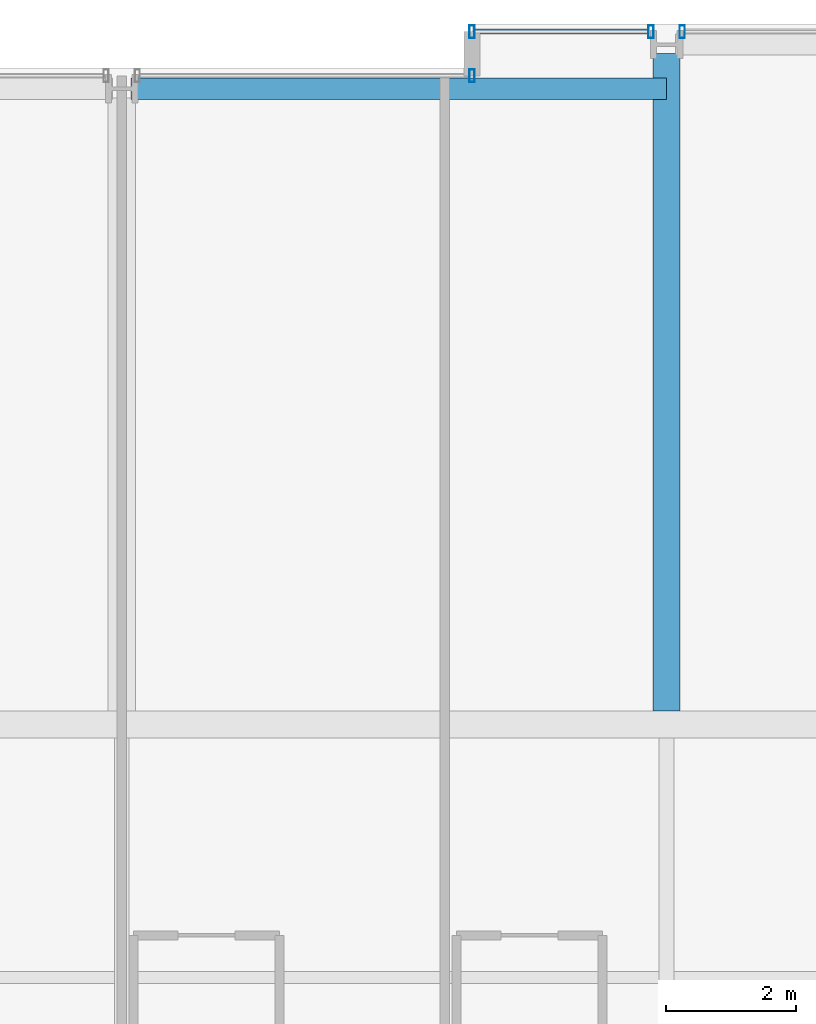
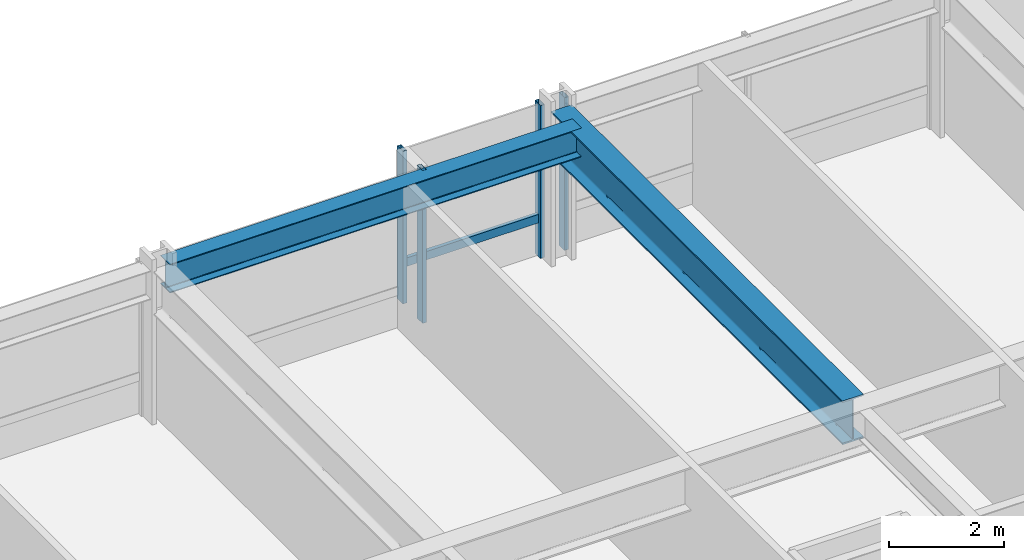
# One storey, part 26 of 42: 5 members, 2 beams, 3 elements without a shape of their own.
"""IFC4 building model written with IfcOpenShell, lengths in metres."""

from ifc_helpers import new_model, si_unit, direction, frame, origin, origin_2d, place, context, subcontext, project, spatial, hollow_rectangle, i_section, extrude, material, layer, layer_set, material_profile, profile_set, type_object, element, aggregate, save


model = new_model("IFC4")

# Units and contexts
model_context = context("Model", 3, precision=1e-05, world=origin(), true_north=direction((0.0, 1.0)))
body_context = subcontext(model_context, "Body", "Model", "MODEL_VIEW")
ifc_project = project(units=[si_unit("LENGTHUNIT", "METRE"), si_unit("AREAUNIT", "SQUARE_METRE"), si_unit("VOLUMEUNIT", "CUBIC_METRE"), si_unit("PLANEANGLEUNIT", "RADIAN"), si_unit("MASSUNIT", "GRAM", prefix="KILO")], contexts=[model_context])

# Site, building, storey
site_placement = place(None, origin())
site = spatial("IfcSite", under=ifc_project, at=site_placement, CompositionType="ELEMENT")
building_placement = place(site_placement, origin())
building = spatial("IfcBuilding", under=site, at=building_placement, Name="Drelvath Grand Hotel", CompositionType="ELEMENT")
storey_placement = place(building_placement, frame((0.0, 0.0, 33.199951171875)))
storey = spatial("IfcBuildingStorey", under=building, at=storey_placement, Name="L06", CompositionType="ELEMENT", Elevation=33.199951171875)

# Curtain wall, member
ifc_material_1 = material(Name="Warm Bronze Anodised Aluminium Frame", Category="aluminium")
ifc_layer = layer(ifc_material_1, 0.199951171875)
ifc_layer_set = layer_set([ifc_layer], Name="Warm Bronze Anodised Aluminium Frame")
curtain_wall_type = type_object("IfcCurtainWallType", Name="Stick Curtain Wall CW-02 Warm Bronze Low-Rise", PredefinedType="NOTDEFINED", material=ifc_layer_set)
curtain_wall_1_placement = place(storey_placement, origin())
curtain_wall_1 = element("IfcCurtainWall", 1, at=curtain_wall_1_placement, inside=storey, type_object=curtain_wall_type, Name="L06 CW-02 Curtain Wall CW02-L06-NE1", PredefinedType="NOTDEFINED")
ifc_material_profile_1 = material_profile(ifc_material_1, hollow_rectangle(XDim=0.074951171875, YDim=0.179931640625, WallThickness=0.0048828125, at=origin_2d()), Name="HSS180X75X5")
ifc_profile_set_1 = profile_set([ifc_material_profile_1], Name="Warm Bronze Anodised Aluminium Frame")
member_type_1 = type_object("IfcMemberType", Name="Curtain Wall Horizontal Transom CW-02 HSS180X75X5", PredefinedType="USERDEFINED", material=ifc_profile_set_1)
member_1_placement = place(storey_placement, frame((5.43994140625, 53.8798828125, 0.81005859375), z_axis=(1.0, 0.0, 0.0), x_axis=(0.0, 1.0, 0.0)))
member_1 = element("IfcMember", 2, at=member_1_placement, type_object=member_type_1, Name="CW02-L06-NE1 Sill Transom", ObjectType="TRANSOM", PredefinedType="USERDEFINED", context=body_context, shape_type="SweptSolid", body=[
    extrude(hollow_rectangle(XDim=0.074951171875, YDim=0.179931640625, WallThickness=0.0048828125, at=origin_2d()), origin(), (0.0, 0.0, 1.0), 2.67919921875),
])

curtain_wall_2_placement = place(storey_placement, origin())
curtain_wall_2 = element("IfcCurtainWall", 3, at=curtain_wall_2_placement, inside=storey, type_object=curtain_wall_type, Name="L06 CW-02 Curtain Wall CW02-L06-NM2", PredefinedType="NOTDEFINED")
ifc_material_profile_2 = material_profile(ifc_material_1, hollow_rectangle(XDim=0.080078125, YDim=0.199951171875, WallThickness=0.0048828125, at=origin_2d()), Name="HSS200X80X5")
ifc_profile_set_2 = profile_set([ifc_material_profile_2], Name="Warm Bronze Anodised Aluminium Frame")
member_type_2 = type_object("IfcMemberType", Name="Curtain Wall Vertical Mullion CW-02 HSS200X80X5", PredefinedType="MULLION", material=ifc_profile_set_2)
member_2_placement = place(storey_placement, frame((5.39990234375, 53.199951171875, 0.0), z_axis=(0.0, 0.0, 1.0), x_axis=(1.0, 0.0, 0.0)))
member_2 = element("IfcMember", 4, at=member_2_placement, type_object=member_type_2, Name="CW02-L06-NM2 Mullion 2", PredefinedType="MULLION", context=body_context, shape_type="SweptSolid", body=[
    extrude(hollow_rectangle(XDim=0.080078125, YDim=0.199951171875, WallThickness=0.0048828125, at=origin_2d()), origin(), (0.0, 0.0, 1.0), 3.239990234375),
])
aggregate(curtain_wall_2, [member_2])

# Member
member_3_placement = place(storey_placement, frame((5.39990234375, 53.8798828125, 0.0), z_axis=(0.0, 0.0, 1.0), x_axis=(1.0, 0.0, 0.0)))
member_3 = element("IfcMember", 5, at=member_3_placement, type_object=member_type_2, Name="CW02-L06-NE1 Mullion 1", PredefinedType="MULLION", context=body_context, shape_type="SweptSolid", body=[
    extrude(hollow_rectangle(XDim=0.080078125, YDim=0.199951171875, WallThickness=0.0048828125, at=origin_2d()), origin(), (0.0, 0.0, 1.0), 3.239990234375),
])

member_4_placement = place(storey_placement, frame((8.1591796875, 53.8798828125, 0.0), z_axis=(0.0, 0.0, 1.0), x_axis=(1.0, 0.0, 0.0)))
member_4 = element("IfcMember", 6, at=member_4_placement, type_object=member_type_2, Name="CW02-L06-NE1 Mullion 2", PredefinedType="MULLION", context=body_context, shape_type="SweptSolid", body=[
    extrude(hollow_rectangle(XDim=0.080078125, YDim=0.199951171875, WallThickness=0.0048828125, at=origin_2d()), origin(), (0.0, 0.0, 1.0), 3.239990234375),
])

aggregate(curtain_wall_1, [member_3, member_4, member_1])

# Curtain wall, member
curtain_wall_3_placement = place(storey_placement, origin())
curtain_wall_3 = element("IfcCurtainWall", 7, at=curtain_wall_3_placement, inside=storey, type_object=curtain_wall_type, Name="L06 CW-02 Curtain Wall CW02-L06-NE2", PredefinedType="NOTDEFINED")
member_5_placement = place(storey_placement, frame((8.640869140625, 53.8798828125, 0.0), z_axis=(0.0, 0.0, 1.0), x_axis=(1.0, 0.0, 0.0)))
member_5 = element("IfcMember", 8, at=member_5_placement, type_object=member_type_2, Name="CW02-L06-NE2 Mullion 1", PredefinedType="MULLION", context=body_context, shape_type="SweptSolid", body=[
    extrude(hollow_rectangle(XDim=0.080078125, YDim=0.199951171875, WallThickness=0.0048828125, at=origin_2d()), origin(), (0.0, 0.0, 1.0), 3.239990234375),
])
aggregate(curtain_wall_3, [member_5])

# Beams
ifc_material_2 = material(Name="Steel ASTM A992 Gr 50", Category="steel")
ifc_material_profile_3 = material_profile(ifc_material_2, i_section(OverallWidth=0.323974609375, OverallDepth=0.611083984375, WebThickness=0.0126953125, FlangeThickness=0.01904296875, FilletRadius=0.02197265625, at=origin_2d()), Name="W24X104")
ifc_profile_set_3 = profile_set([ifc_material_profile_3], Name="Steel ASTM A992 Gr 50")
beam_type_1 = type_object("IfcBeamType", Name="Perimeter Spandrel Beam W24X104", PredefinedType="SPANDREL", material=ifc_profile_set_3)
beam_1_placement = place(storey_placement, frame((0.139892578125, 53.0, 2.9345703125), z_axis=(1.0, 0.0, 0.0), x_axis=(0.0, 1.0, 0.0)))
element("IfcBeam", 9, at=beam_1_placement, inside=storey, type_object=beam_type_1, Name="L06 Spandrel North Mid E", PredefinedType="SPANDREL", context=body_context, shape_type="SweptSolid", body=[
    extrude(i_section(OverallWidth=0.323974609375, OverallDepth=0.611083984375, WebThickness=0.0126953125, FlangeThickness=0.01904296875, FilletRadius=0.02197265625, at=origin_2d()), origin(), (0.0, 0.0, 1.0), 8.260009765625),
])
ifc_material_profile_4 = material_profile(ifc_material_2, i_section(OverallWidth=0.418212890625, OverallDepth=0.926513671875, WebThickness=0.019287109375, FlangeThickness=0.031982421875, FilletRadius=0.028076171875, at=origin_2d()), Name="W36X231")
ifc_profile_set_4 = profile_set([ifc_material_profile_4], Name="Steel ASTM A992 Gr 50")
beam_type_2 = type_object("IfcBeamType", Name="Primary Floor Girder W36X231", PredefinedType="BEAM", material=ifc_profile_set_4)
beam_2_placement = place(storey_placement, frame((8.39990234375, 43.4091796875, 2.77685546875), z_axis=(0.0, 1.0, 0.0), x_axis=(-1.0, 0.0, 0.0)))
element("IfcBeam", 10, at=beam_2_placement, inside=storey, type_object=beam_type_2, Name="L06 North Wing Girder 6", PredefinedType="BEAM", context=body_context, shape_type="SweptSolid", body=[
    extrude(i_section(OverallWidth=0.418212890625, OverallDepth=0.926513671875, WebThickness=0.019287109375, FlangeThickness=0.031982421875, FilletRadius=0.028076171875, at=origin_2d()), origin(), (0.0, 0.0, 1.0), 10.130859375),
])

save(model, "model.ifc")
